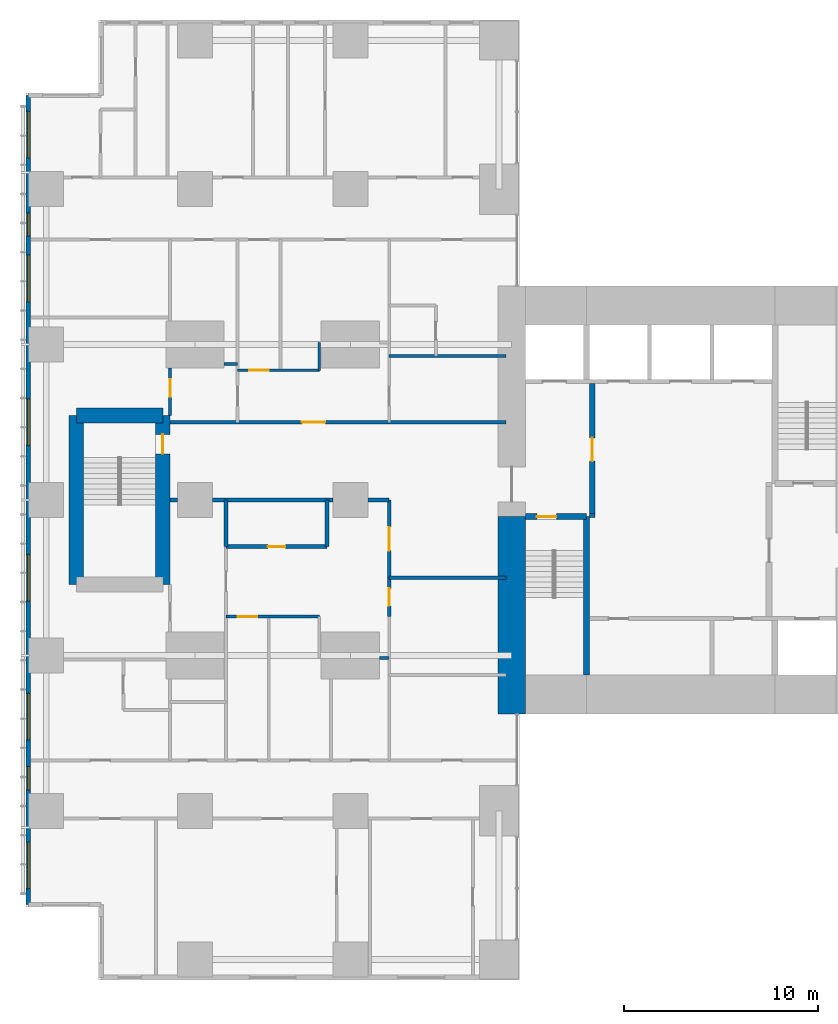
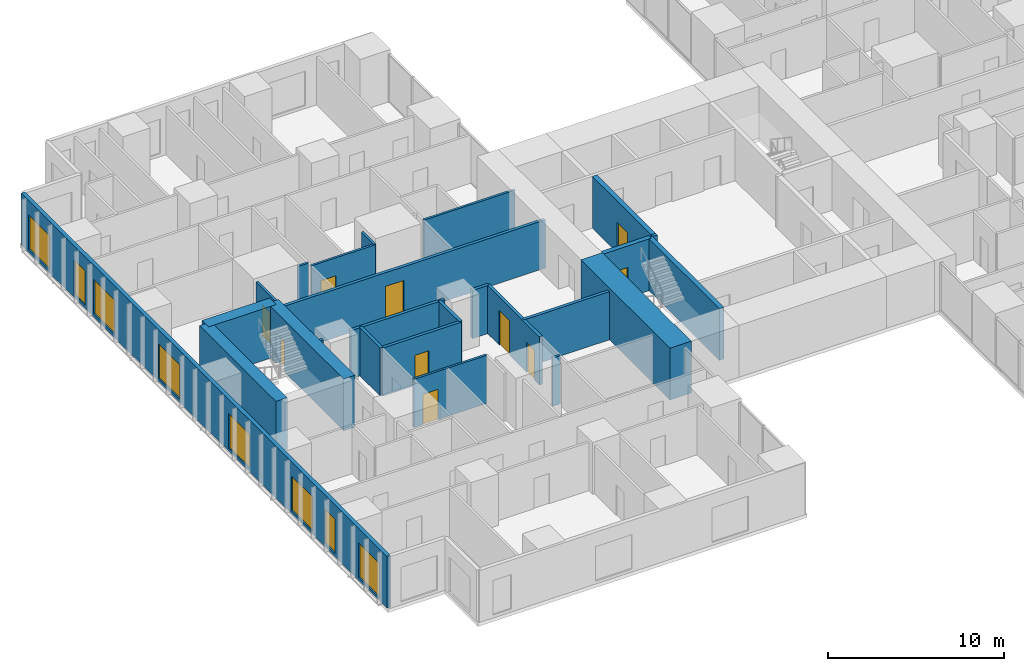
# One storey, part 13 of 20: 25 walls, 10 doors, 8 windows, 18 openings.
"""IFC4 building model written with IfcOpenShell, lengths in metres."""

from ifc_helpers import new_model, si_unit, direction, frame, frame_2d, origin, place, context, subcontext, project, spatial, rectangle, extrude, material, layer, layer_set, type_object, element, fill, save


model = new_model("IFC4")

# Units and contexts
model_context = context("Model", 3, precision=1e-05, world=origin(), true_north=direction((0.0, 1.0)))
body_context = subcontext(model_context, "Body", "Model", "MODEL_VIEW")
ifc_project = project(units=[si_unit("LENGTHUNIT", "METRE"), si_unit("AREAUNIT", "SQUARE_METRE"), si_unit("VOLUMEUNIT", "CUBIC_METRE"), si_unit("PLANEANGLEUNIT", "RADIAN"), si_unit("MASSUNIT", "GRAM", prefix="KILO")], contexts=[model_context])

# Site, building, storey
site_placement = place(None, origin())
site = spatial("IfcSite", under=ifc_project, at=site_placement, CompositionType="ELEMENT")
building_placement = place(site_placement, origin())
building = spatial("IfcBuilding", under=site, at=building_placement, Name="Cleftline Residences", CompositionType="ELEMENT")
storey_placement = place(building_placement, frame((0.0, 0.0, 196.60009765625)))
storey = spatial("IfcBuildingStorey", under=building, at=storey_placement, Name="L51", CompositionType="ELEMENT", Elevation=196.60009765625)

# Walls
ifc_material_1 = material(Name="Concrete B70", Category="concrete")
ifc_layer_1 = layer(ifc_material_1, 1.39990234375)
ifc_layer_set_1 = layer_set([ifc_layer_1], Name="CORE WALL 1400")
wall_type_1 = type_object("IfcWallType", Name="CORE WALL 1400", PredefinedType="SHEAR", material=ifc_layer_set_1)
wall_1_placement = place(storey_placement, frame((24.300048828125, 13.0, 0.0), z_axis=(0.0, 0.0, 1.0), x_axis=(0.0, 1.0, 0.0)))
element("IfcWall", 1, at=wall_1_placement, inside=storey, type_object=wall_type_1, Name="Core wall W0", PredefinedType="SHEAR", context=body_context, shape_type="SweptSolid", body=[
    extrude(rectangle(XDim=10.14990234375, YDim=1.39990234375, at=frame_2d((5.074951171875, 0.0))), origin(), (0.0, 0.0, 1.0), 3.599853515625),
])
ifc_material_2 = material(Name="Concrete B70", Category="concrete")
ifc_layer_2 = layer(ifc_material_2, 0.300048828125)
ifc_layer_set_2 = layer_set([ifc_layer_2], Name="CORE WALL 300")
wall_type_2 = type_object("IfcWallType", Name="CORE WALL 300", PredefinedType="SHEAR", material=ifc_layer_set_2)
wall_2_placement = place(storey_placement, frame((28.14990234375, 15.0, 0.0), z_axis=(0.0, 0.0, 1.0), x_axis=(0.0, 1.0, 0.0)))
element("IfcWall", 2, at=wall_2_placement, inside=storey, type_object=wall_type_2, Name="Core wall SA-E", PredefinedType="SHEAR", context=body_context, shape_type="SweptSolid", body=[
    extrude(rectangle(XDim=8.14990234375, YDim=0.300048828125, at=frame_2d((4.074951171875, 0.0))), origin(), (0.0, 0.0, 1.0), 3.599853515625),
])

# Wall, opening, door
wall_3_placement = place(storey_placement, frame((25.0, 23.14990234375, 0.0), z_axis=(0.0, 0.0, 1.0), x_axis=(1.0, 0.0, 0.0)))
wall_3 = element("IfcWall", 3, at=wall_3_placement, inside=storey, type_object=wall_type_2, Name="Core wall SA-N", PredefinedType="SHEAR", context=body_context, shape_type="SweptSolid", body=[
    extrude(rectangle(XDim=3.14990234375, YDim=0.300048828125, at=frame_2d((1.574951171875, 0.0))), origin(), (0.0, 0.0, 1.0), 3.599853515625),
])
opening_1_placement = place(wall_3_placement, frame((0.60009765625, 0.0, 0.0)))
opening_1 = element("IfcOpeningElement", 4, at=opening_1_placement, cuts=wall_3, Name="Opening D5", PredefinedType="OPENING", context=body_context, shape_type="SweptSolid", body=[
    extrude(rectangle(XDim=1.0, YDim=2.10009765625, at=frame_2d((0.5, 1.050048828125))), frame((0.0, 0.159912109375, 0.0), z_axis=(0.0, -1.0, 0.0), x_axis=(1.0, 0.0, 0.0)), (0.0, 0.0, 1.0), 0.320068359375),
])
ifc_material_3 = material(Name="Steel", Category="steel")
door_type_1 = type_object("IfcDoorType", Name="STAIR DOOR 1000X2100", OperationType="SINGLE_SWING_LEFT", PredefinedType="DOOR", material=ifc_material_3)
door_1_placement = place(opening_1_placement, origin())
door_1 = element("IfcDoor", 5, at=door_1_placement, inside=storey, type_object=door_type_1, Name="Stair A door", OperationType="SINGLE_SWING_RIGHT", OverallHeight=2.10009765625, OverallWidth=1.0, PredefinedType="DOOR", context=body_context, shape_type="SweptSolid", body=[
    extrude(rectangle(XDim=1.0, YDim=2.10009765625, at=frame_2d((0.5, 1.050048828125))), frame((0.0, 0.02490234375, 0.0), z_axis=(0.0, -1.0, 0.0), x_axis=(1.0, 0.0, 0.0)), (0.0, 0.0, 1.0), 0.050048828125),
])
fill(opening_1, door_1)

# Wall, openings, windows
ifc_material_4 = material(Name="Rendered reinforced concrete blockwork", Category="masonry")
ifc_layer_3 = layer(ifc_material_4, 0.25)
ifc_layer_set_3 = layer_set([ifc_layer_3], Name="EXTERNAL WALL 250")
wall_type_3 = type_object("IfcWallType", Name="EXTERNAL WALL 250", PredefinedType="SOLIDWALL", material=ifc_layer_set_3)
wall_4_placement = place(storey_placement, frame((-0.574951171875, 44.824951171875, 0.0), z_axis=(0.0, 0.0, 1.0), x_axis=(0.0, -1.0, 0.0)))
wall_4 = element("IfcWall", 6, at=wall_4_placement, inside=storey, type_object=wall_type_3, Name="External wall", PredefinedType="SOLIDWALL", context=body_context, shape_type="SweptSolid", body=[
    extrude(rectangle(XDim=41.64990234375, YDim=0.25, at=frame_2d((20.824951171875, 0.0))), origin(), (0.0, 0.0, 1.0), 3.599853515625),
])
opening_2_placement = place(wall_4_placement, frame((0.824951171875, 0.0, 0.199951171875)))
opening_2 = element("IfcOpeningElement", 7, at=opening_2_placement, cuts=wall_4, Name="Opening W9", PredefinedType="OPENING", context=body_context, shape_type="SweptSolid", body=[
    extrude(rectangle(XDim=2.39990234375, YDim=2.39990234375, at=frame_2d((1.199951171875, 1.199951171875))), frame((0.0, 0.135009765625, 0.0), z_axis=(0.0, -1.0, 0.0), x_axis=(1.0, 0.0, 0.0)), (0.0, 0.0, 1.0), 0.27001953125),
])
opening_3_placement = place(wall_4_placement, frame((6.050048828125, 0.0, 0.199951171875)))
opening_3 = element("IfcOpeningElement", 8, at=opening_3_placement, cuts=wall_4, Name="Opening W13", PredefinedType="OPENING", context=body_context, shape_type="SweptSolid", body=[
    extrude(rectangle(XDim=1.199951171875, YDim=2.39990234375, at=frame_2d((0.60009765625, 1.199951171875))), frame((0.0, 0.135009765625, 0.0), z_axis=(0.0, -1.0, 0.0), x_axis=(1.0, 0.0, 0.0)), (0.0, 0.0, 1.0), 0.27001953125),
])
opening_4_placement = place(wall_4_placement, frame((8.22509765625, 0.0, 0.199951171875)))
opening_4 = element("IfcOpeningElement", 9, at=opening_4_placement, cuts=wall_4, Name="Opening W9", PredefinedType="OPENING", context=body_context, shape_type="SweptSolid", body=[
    extrude(rectangle(XDim=2.39990234375, YDim=2.39990234375, at=frame_2d((1.199951171875, 1.199951171875))), frame((0.0, 0.135009765625, 0.0), z_axis=(0.0, -1.0, 0.0), x_axis=(1.0, 0.0, 0.0)), (0.0, 0.0, 1.0), 0.27001953125),
])
opening_5_placement = place(wall_4_placement, frame((15.625, 0.0, 0.199951171875)))
opening_5 = element("IfcOpeningElement", 10, at=opening_5_placement, cuts=wall_4, Name="Opening W9", PredefinedType="OPENING", context=body_context, shape_type="SweptSolid", body=[
    extrude(rectangle(XDim=2.39990234375, YDim=2.39990234375, at=frame_2d((1.199951171875, 1.199951171875))), frame((0.0, 0.135009765625, 0.0), z_axis=(0.0, -1.0, 0.0), x_axis=(1.0, 0.0, 0.0)), (0.0, 0.0, 1.0), 0.27001953125),
])
opening_6_placement = place(wall_4_placement, frame((23.625, 0.0, 0.199951171875)))
opening_6 = element("IfcOpeningElement", 11, at=opening_6_placement, cuts=wall_4, Name="Opening W9", PredefinedType="OPENING", context=body_context, shape_type="SweptSolid", body=[
    extrude(rectangle(XDim=2.39990234375, YDim=2.39990234375, at=frame_2d((1.199951171875, 1.199951171875))), frame((0.0, 0.135009765625, 0.0), z_axis=(0.0, -1.0, 0.0), x_axis=(1.0, 0.0, 0.0)), (0.0, 0.0, 1.0), 0.27001953125),
])
opening_7_placement = place(wall_4_placement, frame((30.77490234375, 0.0, 0.199951171875)))
opening_7 = element("IfcOpeningElement", 12, at=opening_7_placement, cuts=wall_4, Name="Opening W9", PredefinedType="OPENING", context=body_context, shape_type="SweptSolid", body=[
    extrude(rectangle(XDim=2.39990234375, YDim=2.39990234375, at=frame_2d((1.199951171875, 1.199951171875))), frame((0.0, 0.135009765625, 0.0), z_axis=(0.0, -1.0, 0.0), x_axis=(1.0, 0.0, 0.0)), (0.0, 0.0, 1.0), 0.27001953125),
])
opening_8_placement = place(wall_4_placement, frame((34.550048828125, 0.0, 0.199951171875)))
opening_8 = element("IfcOpeningElement", 13, at=opening_8_placement, cuts=wall_4, Name="Opening W13", PredefinedType="OPENING", context=body_context, shape_type="SweptSolid", body=[
    extrude(rectangle(XDim=1.199951171875, YDim=2.39990234375, at=frame_2d((0.60009765625, 1.199951171875))), frame((0.0, 0.135009765625, 0.0), z_axis=(0.0, -1.0, 0.0), x_axis=(1.0, 0.0, 0.0)), (0.0, 0.0, 1.0), 0.27001953125),
])
opening_9_placement = place(wall_4_placement, frame((38.425048828125, 0.0, 0.199951171875)))
opening_9 = element("IfcOpeningElement", 14, at=opening_9_placement, cuts=wall_4, Name="Opening W9", PredefinedType="OPENING", context=body_context, shape_type="SweptSolid", body=[
    extrude(rectangle(XDim=2.39990234375, YDim=2.39990234375, at=frame_2d((1.199951171875, 1.199951171875))), frame((0.0, 0.135009765625, 0.0), z_axis=(0.0, -1.0, 0.0), x_axis=(1.0, 0.0, 0.0)), (0.0, 0.0, 1.0), 0.27001953125),
])
ifc_material_5 = material(Name="Aluminium frame, clear double glazing", Category="aluminium")
window_type_1 = type_object("IfcWindowType", Name="WINDOW 1200X2400", PartitioningType="DOUBLE_PANEL_VERTICAL", PredefinedType="WINDOW", material=ifc_material_5)
window_1_placement = place(opening_3_placement, origin())
window_1 = element("IfcWindow", 15, at=window_1_placement, inside=storey, type_object=window_type_1, Name="Window", OverallHeight=2.39990234375, OverallWidth=1.199951171875, PartitioningType="SINGLE_PANEL", PredefinedType="WINDOW", context=body_context, shape_type="SweptSolid", body=[
    extrude(rectangle(XDim=1.199951171875, YDim=2.39990234375, at=frame_2d((0.60009765625, 1.199951171875))), frame((0.0, 0.030029296875, 0.0), z_axis=(0.0, -1.0, 0.0), x_axis=(1.0, 0.0, 0.0)), (0.0, 0.0, 1.0), 0.06005859375),
])
fill(opening_3, window_1)
window_2_placement = place(opening_8_placement, origin())
window_2 = element("IfcWindow", 16, at=window_2_placement, inside=storey, type_object=window_type_1, Name="Window", OverallHeight=2.39990234375, OverallWidth=1.199951171875, PartitioningType="SINGLE_PANEL", PredefinedType="WINDOW", context=body_context, shape_type="SweptSolid", body=[
    extrude(rectangle(XDim=1.199951171875, YDim=2.39990234375, at=frame_2d((0.60009765625, 1.199951171875))), frame((0.0, 0.030029296875, 0.0), z_axis=(0.0, -1.0, 0.0), x_axis=(1.0, 0.0, 0.0)), (0.0, 0.0, 1.0), 0.06005859375),
])
fill(opening_8, window_2)
ifc_material_6 = material(Name="Aluminium frame, clear double glazing", Category="aluminium")
window_type_2 = type_object("IfcWindowType", Name="WINDOW 2400X2400", PartitioningType="DOUBLE_PANEL_VERTICAL", PredefinedType="WINDOW", material=ifc_material_6)
window_3_placement = place(opening_2_placement, origin())
window_3 = element("IfcWindow", 17, at=window_3_placement, inside=storey, type_object=window_type_2, Name="Window", OverallHeight=2.39990234375, OverallWidth=2.39990234375, PartitioningType="SINGLE_PANEL", PredefinedType="WINDOW", context=body_context, shape_type="SweptSolid", body=[
    extrude(rectangle(XDim=2.39990234375, YDim=2.39990234375, at=frame_2d((1.199951171875, 1.199951171875))), frame((0.0, 0.030029296875, 0.0), z_axis=(0.0, -1.0, 0.0), x_axis=(1.0, 0.0, 0.0)), (0.0, 0.0, 1.0), 0.06005859375),
])
fill(opening_2, window_3)
window_4_placement = place(opening_4_placement, origin())
window_4 = element("IfcWindow", 18, at=window_4_placement, inside=storey, type_object=window_type_2, Name="Window", OverallHeight=2.39990234375, OverallWidth=2.39990234375, PartitioningType="SINGLE_PANEL", PredefinedType="WINDOW", context=body_context, shape_type="SweptSolid", body=[
    extrude(rectangle(XDim=2.39990234375, YDim=2.39990234375, at=frame_2d((1.199951171875, 1.199951171875))), frame((0.0, 0.030029296875, 0.0), z_axis=(0.0, -1.0, 0.0), x_axis=(1.0, 0.0, 0.0)), (0.0, 0.0, 1.0), 0.06005859375),
])
fill(opening_4, window_4)
window_5_placement = place(opening_5_placement, origin())
window_5 = element("IfcWindow", 19, at=window_5_placement, inside=storey, type_object=window_type_2, Name="Window", OverallHeight=2.39990234375, OverallWidth=2.39990234375, PartitioningType="SINGLE_PANEL", PredefinedType="WINDOW", context=body_context, shape_type="SweptSolid", body=[
    extrude(rectangle(XDim=2.39990234375, YDim=2.39990234375, at=frame_2d((1.199951171875, 1.199951171875))), frame((0.0, 0.030029296875, 0.0), z_axis=(0.0, -1.0, 0.0), x_axis=(1.0, 0.0, 0.0)), (0.0, 0.0, 1.0), 0.06005859375),
])
fill(opening_5, window_5)
window_6_placement = place(opening_6_placement, origin())
window_6 = element("IfcWindow", 20, at=window_6_placement, inside=storey, type_object=window_type_2, Name="Window", OverallHeight=2.39990234375, OverallWidth=2.39990234375, PartitioningType="SINGLE_PANEL", PredefinedType="WINDOW", context=body_context, shape_type="SweptSolid", body=[
    extrude(rectangle(XDim=2.39990234375, YDim=2.39990234375, at=frame_2d((1.199951171875, 1.199951171875))), frame((0.0, 0.030029296875, 0.0), z_axis=(0.0, -1.0, 0.0), x_axis=(1.0, 0.0, 0.0)), (0.0, 0.0, 1.0), 0.06005859375),
])
fill(opening_6, window_6)
window_7_placement = place(opening_7_placement, origin())
window_7 = element("IfcWindow", 21, at=window_7_placement, inside=storey, type_object=window_type_2, Name="Window", OverallHeight=2.39990234375, OverallWidth=2.39990234375, PartitioningType="SINGLE_PANEL", PredefinedType="WINDOW", context=body_context, shape_type="SweptSolid", body=[
    extrude(rectangle(XDim=2.39990234375, YDim=2.39990234375, at=frame_2d((1.199951171875, 1.199951171875))), frame((0.0, 0.030029296875, 0.0), z_axis=(0.0, -1.0, 0.0), x_axis=(1.0, 0.0, 0.0)), (0.0, 0.0, 1.0), 0.06005859375),
])
fill(opening_7, window_7)
window_8_placement = place(opening_9_placement, origin())
window_8 = element("IfcWindow", 22, at=window_8_placement, inside=storey, type_object=window_type_2, Name="Window", OverallHeight=2.39990234375, OverallWidth=2.39990234375, PartitioningType="SINGLE_PANEL", PredefinedType="WINDOW", context=body_context, shape_type="SweptSolid", body=[
    extrude(rectangle(XDim=2.39990234375, YDim=2.39990234375, at=frame_2d((1.199951171875, 1.199951171875))), frame((0.0, 0.030029296875, 0.0), z_axis=(0.0, -1.0, 0.0), x_axis=(1.0, 0.0, 0.0)), (0.0, 0.0, 1.0), 0.06005859375),
])
fill(opening_9, window_8)

# Wall
ifc_material_7 = material(Name="Concrete blockwork, fire rated", Category="masonry")
ifc_layer_4 = layer(ifc_material_7, 0.199951171875)
ifc_layer_set_4 = layer_set([ifc_layer_4], Name="FIRE WALL 200")
wall_type_4 = type_object("IfcWallType", Name="FIRE WALL 200", PredefinedType="PARTITIONING", material=ifc_layer_set_4)
wall_5_placement = place(storey_placement, frame((18.0, 20.0, 0.0), z_axis=(0.0, 0.0, 1.0), x_axis=(1.0, 0.0, 0.0)))
element("IfcWall", 23, at=wall_5_placement, inside=storey, type_object=wall_type_4, Name="Fire separating wall", PredefinedType="PARTITIONING", context=body_context, shape_type="SweptSolid", body=[
    extrude(rectangle(XDim=6.0, YDim=0.199951171875, at=frame_2d((3.0, 0.0))), origin(), (0.0, 0.0, 1.0), 3.349853515625),
])

# Wall, opening, door
wall_6_placement = place(storey_placement, frame((9.60009765625, 21.60009765625, 0.0), z_axis=(0.0, 0.0, 1.0), x_axis=(1.0, 0.0, 0.0)))
wall_6 = element("IfcWall", 24, at=wall_6_placement, inside=storey, type_object=wall_type_4, Name="Fire separating wall", PredefinedType="PARTITIONING", context=body_context, shape_type="SweptSolid", body=[
    extrude(rectangle(XDim=5.199951171875, YDim=0.199951171875, at=frame_2d((2.60009765625, 0.0))), origin(), (0.0, 0.0, 1.0), 3.349853515625),
])
opening_10_placement = place(wall_6_placement, frame((2.14990234375, 0.0, 0.0)))
opening_10 = element("IfcOpeningElement", 25, at=opening_10_placement, cuts=wall_6, Name="Opening D1F30", PredefinedType="OPENING", context=body_context, shape_type="SweptSolid", body=[
    extrude(rectangle(XDim=0.89990234375, YDim=2.10009765625, at=frame_2d((0.449951171875, 1.050048828125))), frame((0.0, 0.10986328125, 0.0), z_axis=(0.0, -1.0, 0.0), x_axis=(1.0, 0.0, 0.0)), (0.0, 0.0, 1.0), 0.219970703125),
])
ifc_material_8 = material(Name="Timber veneer on solid core", Category="wood")
door_type_2 = type_object("IfcDoorType", Name="DOOR 900X2100 EI 30", OperationType="SINGLE_SWING_LEFT", PredefinedType="DOOR", material=ifc_material_8)
door_2_placement = place(opening_10_placement, origin())
door_2 = element("IfcDoor", 26, at=door_2_placement, inside=storey, type_object=door_type_2, Name="Door to cloakroom wc", OperationType="SINGLE_SWING_LEFT", OverallHeight=2.10009765625, OverallWidth=0.89990234375, PredefinedType="DOOR", context=body_context, shape_type="SweptSolid", body=[
    extrude(rectangle(XDim=0.89990234375, YDim=2.10009765625, at=frame_2d((0.449951171875, 1.050048828125))), frame((0.0, 0.02490234375, 0.0), z_axis=(0.0, -1.0, 0.0), x_axis=(1.0, 0.0, 0.0)), (0.0, 0.0, 1.0), 0.050048828125),
])
fill(opening_10, door_2)

# Walls
wall_7_placement = place(storey_placement, frame((6.72509765625, 24.0, 0.0), z_axis=(0.0, 0.0, 1.0), x_axis=(1.0, 0.0, 0.0)))
element("IfcWall", 27, at=wall_7_placement, inside=storey, type_object=wall_type_4, Name="Fire separating wall", PredefinedType="PARTITIONING", context=body_context, shape_type="SweptSolid", body=[
    extrude(rectangle(XDim=0.375, YDim=0.199951171875, at=frame_2d((0.1875, 0.0))), origin(), (0.0, 0.0, 1.0), 3.349853515625),
])
wall_8_placement = place(storey_placement, frame((8.89990234375, 24.0, 0.0), z_axis=(0.0, 0.0, 1.0), x_axis=(1.0, 0.0, 0.0)))
element("IfcWall", 28, at=wall_8_placement, inside=storey, type_object=wall_type_4, Name="Fire separating wall", PredefinedType="PARTITIONING", context=body_context, shape_type="SweptSolid", body=[
    extrude(rectangle(XDim=6.2001953125, YDim=0.199951171875, at=frame_2d((3.10009765625, 0.0))), origin(), (0.0, 0.0, 1.0), 3.349853515625),
])
wall_9_placement = place(storey_placement, frame((16.89990234375, 24.0, 0.0), z_axis=(0.0, 0.0, 1.0), x_axis=(1.0, 0.0, 0.0)))
element("IfcWall", 29, at=wall_9_placement, inside=storey, type_object=wall_type_4, Name="Fire separating wall", PredefinedType="PARTITIONING", context=body_context, shape_type="SweptSolid", body=[
    extrude(rectangle(XDim=1.10009765625, YDim=0.199951171875, at=frame_2d((0.550048828125, 0.0))), origin(), (0.0, 0.0, 1.0), 3.349853515625),
])

# Wall, opening, door
wall_10_placement = place(storey_placement, frame((6.72509765625, 28.0, 0.0), z_axis=(0.0, 0.0, 1.0), x_axis=(1.0, 0.0, 0.0)))
wall_10 = element("IfcWall", 30, at=wall_10_placement, inside=storey, type_object=wall_type_4, Name="Fire separating wall", PredefinedType="PARTITIONING", context=body_context, shape_type="SweptSolid", body=[
    extrude(rectangle(XDim=17.27490234375, YDim=0.199951171875, at=frame_2d((8.637451171875, 0.0))), origin(), (0.0, 0.0, 1.0), 3.349853515625),
])
opening_11_placement = place(wall_10_placement, frame((6.77490234375, 0.0, 0.0)))
opening_11 = element("IfcOpeningElement", 31, at=opening_11_placement, cuts=wall_10, Name="Opening D4", PredefinedType="OPENING", context=body_context, shape_type="SweptSolid", body=[
    extrude(rectangle(XDim=1.199951171875, YDim=2.39990234375, at=frame_2d((0.60009765625, 1.199951171875))), frame((0.0, 0.10986328125, 0.0), z_axis=(0.0, -1.0, 0.0), x_axis=(1.0, 0.0, 0.0)), (0.0, 0.0, 1.0), 0.219970703125),
])
ifc_material_9 = material(Name="Timber veneer on solid core", Category="wood")
door_type_3 = type_object("IfcDoorType", Name="APARTMENT ENTRANCE DOOR 1200X2400", OperationType="SINGLE_SWING_RIGHT", PredefinedType="DOOR", material=ifc_material_9)
door_3_placement = place(opening_11_placement, origin())
door_3 = element("IfcDoor", 32, at=door_3_placement, inside=storey, type_object=door_type_3, Name="Door to residence entrance (gallery)", OperationType="SINGLE_SWING_RIGHT", OverallHeight=2.39990234375, OverallWidth=1.199951171875, PredefinedType="DOOR", context=body_context, shape_type="SweptSolid", body=[
    extrude(rectangle(XDim=1.199951171875, YDim=2.39990234375, at=frame_2d((0.60009765625, 1.199951171875))), frame((0.0, 0.02490234375, 0.0), z_axis=(0.0, -1.0, 0.0), x_axis=(1.0, 0.0, 0.0)), (0.0, 0.0, 1.0), 0.050048828125),
])
fill(opening_11, door_3)

# Walls
for number, where, z_axis, x_axis, name in (
    (33, (9.60009765625, 21.60009765625, 0.0), (0.0, 0.0, 1.0), (0.0, 1.0, 0.0), "Fire separating wall"),
    (34, (14.800048828125, 21.60009765625, 0.0), (0.0, 0.0, 1.0), (0.0, 1.0, 0.0), "Fire separating wall"),
):
    element("IfcWall", number, at=place(storey_placement, frame(where, z_axis=z_axis, x_axis=x_axis)), inside=storey, type_object=wall_type_4, Name=name, PredefinedType="PARTITIONING", context=body_context, shape_type="SweptSolid", body=[
        extrude(rectangle(XDim=2.39990234375, YDim=0.199951171875, at=frame_2d((1.199951171875, 0.0))), origin(), (0.0, 0.0, 1.0), 3.349853515625),
    ])

# Wall, openings, doors
wall_11_placement = place(storey_placement, frame((18.0, 18.0, 0.0), z_axis=(0.0, 0.0, 1.0), x_axis=(0.0, 1.0, 0.0)))
wall_11 = element("IfcWall", 35, at=wall_11_placement, inside=storey, type_object=wall_type_4, Name="Fire separating wall", PredefinedType="PARTITIONING", context=body_context, shape_type="SweptSolid", body=[
    extrude(rectangle(XDim=6.0, YDim=0.199951171875, at=frame_2d((3.0, 0.0))), origin(), (0.0, 0.0, 1.0), 3.349853515625),
])
opening_12_placement = place(wall_11_placement, frame((3.39990234375, 0.0, 0.0)))
opening_12 = element("IfcOpeningElement", 36, at=opening_12_placement, cuts=wall_11, Name="Opening D4", PredefinedType="OPENING", context=body_context, shape_type="SweptSolid", body=[
    extrude(rectangle(XDim=1.199951171875, YDim=2.39990234375, at=frame_2d((0.60009765625, 1.199951171875))), frame((0.0, 0.10986328125, 0.0), z_axis=(0.0, -1.0, 0.0), x_axis=(1.0, 0.0, 0.0)), (0.0, 0.0, 1.0), 0.219970703125),
])
opening_13_placement = place(wall_11_placement, frame((0.550048828125, 0.0, 0.0)))
opening_13 = element("IfcOpeningElement", 37, at=opening_13_placement, cuts=wall_11, Name="Opening D1F30", PredefinedType="OPENING", context=body_context, shape_type="SweptSolid", body=[
    extrude(rectangle(XDim=0.89990234375, YDim=2.10009765625, at=frame_2d((0.449951171875, 1.050048828125))), frame((0.0, 0.10986328125, 0.0), z_axis=(0.0, -1.0, 0.0), x_axis=(1.0, 0.0, 0.0)), (0.0, 0.0, 1.0), 0.219970703125),
])
door_4_placement = place(opening_12_placement, origin())
door_4 = element("IfcDoor", 38, at=door_4_placement, inside=storey, type_object=door_type_3, Name="Door to residence entrance foyer", OperationType="SINGLE_SWING_LEFT", OverallHeight=2.39990234375, OverallWidth=1.199951171875, PredefinedType="DOOR", context=body_context, shape_type="SweptSolid", body=[
    extrude(rectangle(XDim=1.199951171875, YDim=2.39990234375, at=frame_2d((0.60009765625, 1.199951171875))), frame((0.0, 0.02490234375, 0.0), z_axis=(0.0, -1.0, 0.0), x_axis=(1.0, 0.0, 0.0)), (0.0, 0.0, 1.0), 0.050048828125),
])
fill(opening_12, door_4)
door_5_placement = place(opening_13_placement, origin())
door_5 = element("IfcDoor", 39, at=door_5_placement, inside=storey, type_object=door_type_2, Name="Door to utility room", OperationType="SINGLE_SWING_RIGHT", OverallHeight=2.10009765625, OverallWidth=0.89990234375, PredefinedType="DOOR", context=body_context, shape_type="SweptSolid", body=[
    extrude(rectangle(XDim=0.89990234375, YDim=2.10009765625, at=frame_2d((0.449951171875, 1.050048828125))), frame((0.0, 0.02490234375, 0.0), z_axis=(0.0, -1.0, 0.0), x_axis=(1.0, 0.0, 0.0)), (0.0, 0.0, 1.0), 0.050048828125),
])
fill(opening_13, door_5)

# Walls
wall_12_placement = place(storey_placement, frame((28.300048828125, 23.199951171875, 0.0), z_axis=(0.0, 0.0, 1.0), x_axis=(1.0, 0.0, 0.0)))
element("IfcWall", 40, at=wall_12_placement, inside=storey, type_object=wall_type_4, Name="Fire separating wall", PredefinedType="PARTITIONING", context=body_context, shape_type="SweptSolid", body=[
    extrude(rectangle(XDim=0.300048828125, YDim=0.199951171875, at=frame_2d((0.14990234375, 0.0))), origin(), (0.0, 0.0, 1.0), 3.599853515625),
])
ifc_material_10 = material(Name="Gypsum board on steel studs", Category="steel")
ifc_layer_5 = layer(ifc_material_10, 0.14990234375)
ifc_layer_set_5 = layer_set([ifc_layer_5], Name="PARTITION 150")
wall_type_5 = type_object("IfcWallType", Name="PARTITION 150", PredefinedType="PARTITIONING", material=ifc_layer_set_5)
wall_13_placement = place(storey_placement, frame((17.5, 15.875, 0.0), z_axis=(0.0, 0.0, 1.0), x_axis=(1.0, 0.0, 0.0)))
element("IfcWall", 41, at=wall_13_placement, inside=storey, type_object=wall_type_5, Name="Partition", PredefinedType="PARTITIONING", context=body_context, shape_type="SweptSolid", body=[
    extrude(rectangle(XDim=0.5, YDim=0.14990234375, at=frame_2d((0.25, 0.0))), origin(), (0.0, 0.0, 1.0), 3.349853515625),
])

# Wall, opening, door
wall_14_placement = place(storey_placement, frame((9.60009765625, 18.0, 0.0), z_axis=(0.0, 0.0, 1.0), x_axis=(1.0, 0.0, 0.0)))
wall_14 = element("IfcWall", 42, at=wall_14_placement, inside=storey, type_object=wall_type_5, Name="Partition", PredefinedType="PARTITIONING", context=body_context, shape_type="SweptSolid", body=[
    extrude(rectangle(XDim=4.7998046875, YDim=0.14990234375, at=frame_2d((2.39990234375, 0.0))), origin(), (0.0, 0.0, 1.0), 3.349853515625),
])
opening_14_placement = place(wall_14_placement, frame((0.60009765625, 0.0, 0.0)))
opening_14 = element("IfcOpeningElement", 43, at=opening_14_placement, cuts=wall_14, Name="Opening D2", PredefinedType="OPENING", context=body_context, shape_type="SweptSolid", body=[
    extrude(rectangle(XDim=1.0, YDim=2.10009765625, at=frame_2d((0.5, 1.050048828125))), frame((0.0, 0.0849609375, 0.0), z_axis=(0.0, -1.0, 0.0), x_axis=(1.0, 0.0, 0.0)), (0.0, 0.0, 1.0), 0.169921875),
])
ifc_material_11 = material(Name="Timber veneer on solid core", Category="wood")
door_type_4 = type_object("IfcDoorType", Name="DOOR 1000X2100", OperationType="SINGLE_SWING_LEFT", PredefinedType="DOOR", material=ifc_material_11)
door_6_placement = place(opening_14_placement, origin())
door_6 = element("IfcDoor", 44, at=door_6_placement, inside=storey, type_object=door_type_4, Name="Door to residence passage", OperationType="SINGLE_SWING_RIGHT", OverallHeight=2.10009765625, OverallWidth=1.0, PredefinedType="DOOR", context=body_context, shape_type="SweptSolid", body=[
    extrude(rectangle(XDim=1.0, YDim=2.10009765625, at=frame_2d((0.5, 1.050048828125))), frame((0.0, 0.02490234375, 0.0), z_axis=(0.0, -1.0, 0.0), x_axis=(1.0, 0.0, 0.0)), (0.0, 0.0, 1.0), 0.050048828125),
])
fill(opening_14, door_6)

wall_15_placement = place(storey_placement, frame((10.199951171875, 30.675048828125, 0.0), z_axis=(0.0, 0.0, 1.0), x_axis=(1.0, 0.0, 0.0)))
wall_15 = element("IfcWall", 45, at=wall_15_placement, inside=storey, type_object=wall_type_5, Name="Partition", PredefinedType="PARTITIONING", context=body_context, shape_type="SweptSolid", body=[
    extrude(rectangle(XDim=4.199951171875, YDim=0.14990234375, at=frame_2d((2.10009765625, 0.0))), origin(), (0.0, 0.0, 1.0), 3.349853515625),
])
opening_15_placement = place(wall_15_placement, frame((0.60009765625, 0.0, 0.0)))
opening_15 = element("IfcOpeningElement", 46, at=opening_15_placement, cuts=wall_15, Name="Opening D2", PredefinedType="OPENING", context=body_context, shape_type="SweptSolid", body=[
    extrude(rectangle(XDim=1.0, YDim=2.10009765625, at=frame_2d((0.5, 1.050048828125))), frame((0.0, 0.0849609375, 0.0), z_axis=(0.0, -1.0, 0.0), x_axis=(1.0, 0.0, 0.0)), (0.0, 0.0, 1.0), 0.169921875),
])
door_7_placement = place(opening_15_placement, origin())
door_7 = element("IfcDoor", 47, at=door_7_placement, inside=storey, type_object=door_type_4, Name="Door to residence passage", OperationType="SINGLE_SWING_RIGHT", OverallHeight=2.10009765625, OverallWidth=1.0, PredefinedType="DOOR", context=body_context, shape_type="SweptSolid", body=[
    extrude(rectangle(XDim=1.0, YDim=2.10009765625, at=frame_2d((0.5, 1.050048828125))), frame((0.0, 0.02490234375, 0.0), z_axis=(0.0, -1.0, 0.0), x_axis=(1.0, 0.0, 0.0)), (0.0, 0.0, 1.0), 0.050048828125),
])
fill(opening_15, door_7)

# Walls
wall_16_placement = place(storey_placement, frame((9.5, 31.0, 0.0), z_axis=(0.0, 0.0, 1.0), x_axis=(1.0, 0.0, 0.0)))
element("IfcWall", 48, at=wall_16_placement, inside=storey, type_object=wall_type_5, Name="Partition", PredefinedType="PARTITIONING", context=body_context, shape_type="SweptSolid", body=[
    extrude(rectangle(XDim=0.699951171875, YDim=0.14990234375, at=frame_2d((0.35009765625, 0.0))), origin(), (0.0, 0.0, 1.0), 3.349853515625),
])
wall_17_placement = place(storey_placement, frame((18.0, 31.39990234375, 0.0), z_axis=(0.0, 0.0, 1.0), x_axis=(1.0, 0.0, 0.0)))
element("IfcWall", 49, at=wall_17_placement, inside=storey, type_object=wall_type_5, Name="Partition", PredefinedType="PARTITIONING", context=body_context, shape_type="SweptSolid", body=[
    extrude(rectangle(XDim=6.0, YDim=0.14990234375, at=frame_2d((3.0, 0.0))), origin(), (0.0, 0.0, 1.0), 3.349853515625),
])

# Wall, opening, door
wall_18_placement = place(storey_placement, frame((6.72509765625, 28.35009765625, 0.0), z_axis=(0.0, 0.0, 1.0), x_axis=(0.0, 1.0, 0.0)))
wall_18 = element("IfcWall", 50, at=wall_18_placement, inside=storey, type_object=wall_type_5, Name="Partition", PredefinedType="PARTITIONING", context=body_context, shape_type="SweptSolid", body=[
    extrude(rectangle(XDim=2.449951171875, YDim=0.14990234375, at=frame_2d((1.22509765625, 0.0))), origin(), (0.0, 0.0, 1.0), 3.349853515625),
])
opening_16_placement = place(wall_18_placement, frame((0.96240234375, 0.0, 0.0)))
opening_16 = element("IfcOpeningElement", 51, at=opening_16_placement, cuts=wall_18, Name="Opening D1", PredefinedType="OPENING", context=body_context, shape_type="SweptSolid", body=[
    extrude(rectangle(XDim=0.89990234375, YDim=2.10009765625, at=frame_2d((0.449951171875, 1.050048828125))), frame((0.0, 0.0849609375, 0.0), z_axis=(0.0, -1.0, 0.0), x_axis=(1.0, 0.0, 0.0)), (0.0, 0.0, 1.0), 0.169921875),
])
ifc_material_12 = material(Name="Timber veneer on solid core", Category="wood")
door_type_5 = type_object("IfcDoorType", Name="DOOR 900X2100", OperationType="SINGLE_SWING_LEFT", PredefinedType="DOOR", material=ifc_material_12)
door_8_placement = place(opening_16_placement, origin())
door_8 = element("IfcDoor", 52, at=door_8_placement, inside=storey, type_object=door_type_5, Name="Door to drying loggia", OperationType="SINGLE_SWING_LEFT", OverallHeight=2.10009765625, OverallWidth=0.89990234375, PredefinedType="DOOR", context=body_context, shape_type="SweptSolid", body=[
    extrude(rectangle(XDim=0.89990234375, YDim=2.10009765625, at=frame_2d((0.449951171875, 1.050048828125))), frame((0.0, 0.02490234375, 0.0), z_axis=(0.0, -1.0, 0.0), x_axis=(1.0, 0.0, 0.0)), (0.0, 0.0, 1.0), 0.050048828125),
])
fill(opening_16, door_8)

# Wall
wall_19_placement = place(storey_placement, frame((14.39990234375, 30.675048828125, 0.0), z_axis=(0.0, 0.0, 1.0), x_axis=(0.0, 1.0, 0.0)))
element("IfcWall", 53, at=wall_19_placement, inside=storey, type_object=wall_type_5, Name="Partition", PredefinedType="PARTITIONING", context=body_context, shape_type="SweptSolid", body=[
    extrude(rectangle(XDim=1.425048828125, YDim=0.14990234375, at=frame_2d((0.71240234375, 0.0))), origin(), (0.0, 0.0, 1.0), 3.349853515625),
])

# Wall, opening, door
ifc_material_13 = material(Name="Concrete B70", Category="concrete")
ifc_layer_6 = layer(ifc_material_13, 0.75)
ifc_layer_set_6 = layer_set([ifc_layer_6], Name="SHEAR WALL 750")
wall_type_6 = type_object("IfcWallType", Name="SHEAR WALL 750", PredefinedType="SHEAR", material=ifc_layer_set_6)
wall_20_placement = place(storey_placement, frame((6.35009765625, 19.64990234375, 0.0), z_axis=(0.0, 0.0, 1.0), x_axis=(0.0, 1.0, 0.0)))
wall_20 = element("IfcWall", 54, at=wall_20_placement, inside=storey, type_object=wall_type_6, Name="Wing shear wall", PredefinedType="SHEAR", context=body_context, shape_type="SweptSolid", body=[
    extrude(rectangle(XDim=8.7001953125, YDim=0.75, at=frame_2d((4.35009765625, 0.0))), origin(), (0.0, 0.0, 1.0), 3.599853515625),
])
opening_17_placement = place(wall_20_placement, frame((6.72509765625, 0.0, 0.0)))
opening_17 = element("IfcOpeningElement", 55, at=opening_17_placement, cuts=wall_20, Name="Opening D5", PredefinedType="OPENING", context=body_context, shape_type="SweptSolid", body=[
    extrude(rectangle(XDim=1.0, YDim=2.10009765625, at=frame_2d((0.5, 1.050048828125))), frame((0.0, 0.385009765625, 0.0), z_axis=(0.0, -1.0, 0.0), x_axis=(1.0, 0.0, 0.0)), (0.0, 0.0, 1.0), 0.77001953125),
])
door_9_placement = place(opening_17_placement, origin())
door_9 = element("IfcDoor", 56, at=door_9_placement, inside=storey, type_object=door_type_1, Name="Stair W door", OperationType="SINGLE_SWING_LEFT", OverallHeight=2.10009765625, OverallWidth=1.0, PredefinedType="DOOR", context=body_context, shape_type="SweptSolid", body=[
    extrude(rectangle(XDim=1.0, YDim=2.10009765625, at=frame_2d((0.5, 1.050048828125))), frame((0.0, 0.02490234375, 0.0), z_axis=(0.0, -1.0, 0.0), x_axis=(1.0, 0.0, 0.0)), (0.0, 0.0, 1.0), 0.050048828125),
])
fill(opening_17, door_9)

# Walls
wall_21_placement = place(storey_placement, frame((6.35009765625, 28.35009765625, 0.0), z_axis=(0.0, 0.0, 1.0), x_axis=(-1.0, 0.0, 0.0)))
element("IfcWall", 57, at=wall_21_placement, inside=storey, type_object=wall_type_6, Name="Wing shear wall", PredefinedType="SHEAR", context=body_context, shape_type="SweptSolid", body=[
    extrude(rectangle(XDim=4.4501953125, YDim=0.75, at=frame_2d((2.22509765625, 0.0))), origin(), (0.0, 0.0, 1.0), 3.599853515625),
])
wall_22_placement = place(storey_placement, frame((1.89990234375, 28.35009765625, 0.0), z_axis=(0.0, 0.0, 1.0), x_axis=(0.0, -1.0, 0.0)))
element("IfcWall", 58, at=wall_22_placement, inside=storey, type_object=wall_type_6, Name="Wing shear wall", PredefinedType="SHEAR", context=body_context, shape_type="SweptSolid", body=[
    extrude(rectangle(XDim=8.7001953125, YDim=0.75, at=frame_2d((4.35009765625, 0.0))), origin(), (0.0, 0.0, 1.0), 3.599853515625),
])

# Wall, opening, door
ifc_material_14 = material(Name="Concrete blockwork, fire rated", Category="masonry")
ifc_layer_7 = layer(ifc_material_14, 0.300048828125)
ifc_layer_set_7 = layer_set([ifc_layer_7], Name="STAIR LOBBY WALL 300")
wall_type_7 = type_object("IfcWallType", Name="STAIR LOBBY WALL 300", PredefinedType="PARTITIONING", material=ifc_layer_set_7)
wall_23_placement = place(storey_placement, frame((28.449951171875, 23.300048828125, 0.0), z_axis=(0.0, 0.0, 1.0), x_axis=(0.0, 1.0, 0.0)))
wall_23 = element("IfcWall", 59, at=wall_23_placement, inside=storey, type_object=wall_type_7, Name="Stair and lobby wall FA-E", PredefinedType="PARTITIONING", context=body_context, shape_type="SweptSolid", body=[
    extrude(rectangle(XDim=6.699951171875, YDim=0.300048828125, at=frame_2d((3.35009765625, 0.0))), origin(), (0.0, 0.0, 1.0), 3.599853515625),
])
opening_18_placement = place(wall_23_placement, frame((2.699951171875, 0.0, 0.0)))
opening_18 = element("IfcOpeningElement", 60, at=opening_18_placement, cuts=wall_23, Name="Opening D6", PredefinedType="OPENING", context=body_context, shape_type="SweptSolid", body=[
    extrude(rectangle(XDim=1.199951171875, YDim=2.10009765625, at=frame_2d((0.60009765625, 1.050048828125))), frame((0.0, 0.159912109375, 0.0), z_axis=(0.0, -1.0, 0.0), x_axis=(1.0, 0.0, 0.0)), (0.0, 0.0, 1.0), 0.320068359375),
])
ifc_material_15 = material(Name="Steel", Category="steel")
door_type_6 = type_object("IfcDoorType", Name="LOBBY DOOR 1200X2100", OperationType="SINGLE_SWING_RIGHT", PredefinedType="DOOR", material=ifc_material_15)
door_10_placement = place(opening_18_placement, origin())
door_10 = element("IfcDoor", 61, at=door_10_placement, inside=storey, type_object=door_type_6, Name="Firefighting lobby A door", OperationType="SINGLE_SWING_RIGHT", OverallHeight=2.10009765625, OverallWidth=1.199951171875, PredefinedType="DOOR", context=body_context, shape_type="SweptSolid", body=[
    extrude(rectangle(XDim=1.199951171875, YDim=2.10009765625, at=frame_2d((0.60009765625, 1.050048828125))), frame((0.0, 0.02490234375, 0.0), z_axis=(0.0, -1.0, 0.0), x_axis=(1.0, 0.0, 0.0)), (0.0, 0.0, 1.0), 0.050048828125),
])
fill(opening_18, door_10)

save(model, "model.ifc")
